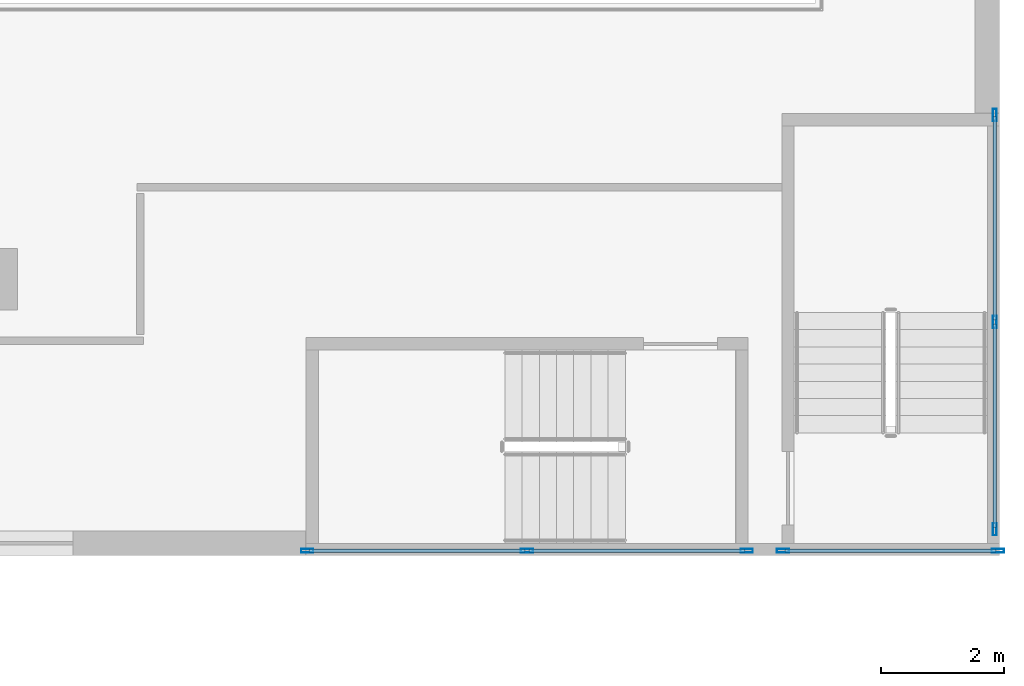
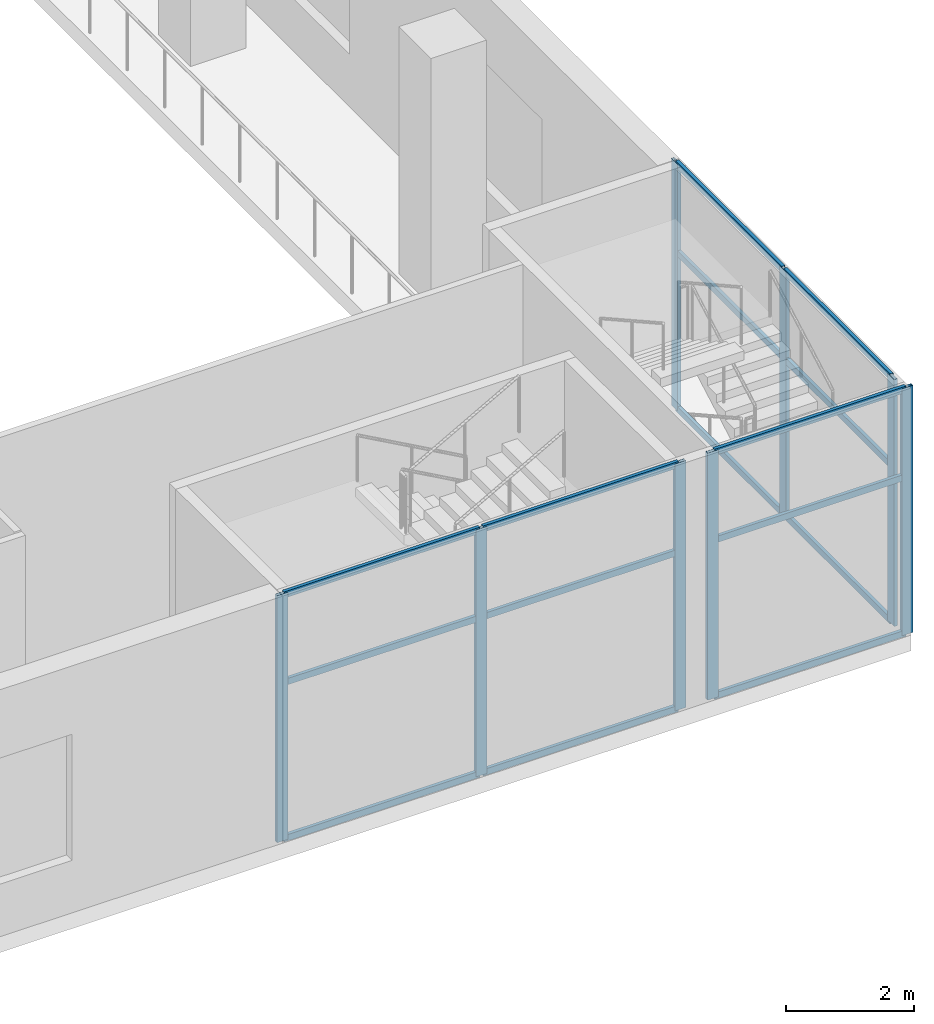
# One storey, part 6 of 23: 23 members, 3 elements without a shape of their own.
"""IFC4 building model written with IfcOpenShell, lengths in metres."""

from ifc_helpers import new_model, si_unit, direction, frame, origin, origin_2d, place, context, subcontext, project, spatial, hollow_rectangle, extrude, source, transform, mapped, material, material_profile, profile_set, type_object, element, aggregate, save


model = new_model("IFC4")

# Units and contexts
model_context = context("Model", 3, precision=1e-05, world=origin(), true_north=direction((0.0, 1.0)))
body_context = subcontext(model_context, "Body", "Model", "MODEL_VIEW")
ifc_project = project(units=[si_unit("LENGTHUNIT", "METRE"), si_unit("AREAUNIT", "SQUARE_METRE"), si_unit("VOLUMEUNIT", "CUBIC_METRE"), si_unit("PLANEANGLEUNIT", "RADIAN"), si_unit("MASSUNIT", "GRAM", prefix="KILO")], contexts=[model_context])

# Site, building, storey
site_placement = place(None, origin())
site = spatial("IfcSite", under=ifc_project, at=site_placement, CompositionType="ELEMENT")
building_placement = place(site_placement, origin())
building = spatial("IfcBuilding", under=site, at=building_placement, Name="Khomas Fold Tower", CompositionType="ELEMENT")
storey_placement = place(building_placement, frame((0.0, 0.0, 18.5)))
storey = spatial("IfcBuildingStorey", under=building, at=storey_placement, Name="L03", CompositionType="ELEMENT", Elevation=18.5)

# Curtain wall, members
ifc_material_1 = material(Name="Aluminium framed double glazing", Category="aluminium")
curtain_wall_type = type_object("IfcCurtainWallType", Name="Shopfront glazing PD-CW", PredefinedType="NOTDEFINED", material=ifc_material_1)
curtain_wall_1_placement = place(storey_placement, origin())
curtain_wall_1 = element("IfcCurtainWall", 1, at=curtain_wall_1_placement, inside=storey, type_object=curtain_wall_type, Name="Podium stair-tower glazing", PredefinedType="NOTDEFINED")
ifc_material_2 = material(Name="Aluminium", Category="aluminium")
ifc_material_profile_1 = material_profile(ifc_material_2, hollow_rectangle(XDim=0.06005859375, YDim=0.1201171875, WallThickness=0.00390625, at=origin_2d()), Name="Shopfront glazing transom PD-CW-T")
ifc_profile_set_1 = profile_set([ifc_material_profile_1], Name="Aluminium")
member_type_1 = type_object("IfcMemberType", Name="Shopfront glazing transom PD-CW-T", PredefinedType="USERDEFINED", material=ifc_profile_set_1)
shared_shape_1 = source(origin(), body_context, "Body", "SweptSolid", [
    extrude(hollow_rectangle(XDim=0.06005859375, YDim=0.1201171875, WallThickness=0.00390625, at=origin_2d()), origin(), (0.0, 0.0, 1.0), 3.52001953125),
])
member_1_placement = place(storey_placement, frame((69.75, 0.080078125, 0.030029296875), z_axis=(1.0, 0.0, 0.0), x_axis=(0.0, 1.0, 0.0)))
member_1 = element("IfcMember", 2, at=member_1_placement, type_object=member_type_1, Name="PD-CW transom 1.1", ObjectType="TRANSOM", PredefinedType="USERDEFINED", context=body_context, shape_type="MappedRepresentation", body=[
    mapped(shared_shape_1, transform((0.0, 0.0, 0.0))),
])
member_2_placement = place(storey_placement, frame((69.75, 0.080078125, 3.0), z_axis=(1.0, 0.0, 0.0), x_axis=(0.0, 1.0, 0.0)))
member_2 = element("IfcMember", 3, at=member_2_placement, type_object=member_type_1, Name="PD-CW transom 1.2", ObjectType="TRANSOM", PredefinedType="USERDEFINED", context=body_context, shape_type="MappedRepresentation", body=[
    mapped(shared_shape_1, transform((0.0, 0.0, 0.0))),
])
member_3_placement = place(storey_placement, frame((69.75, 0.080078125, 4.669921875), z_axis=(1.0, 0.0, 0.0), x_axis=(0.0, 1.0, 0.0)))
member_3 = element("IfcMember", 4, at=member_3_placement, type_object=member_type_1, Name="PD-CW transom 1.3", ObjectType="TRANSOM", PredefinedType="USERDEFINED", context=body_context, shape_type="MappedRepresentation", body=[
    mapped(shared_shape_1, transform((0.0, 0.0, 0.0))),
])
member_4_placement = place(storey_placement, frame((73.330078125, 0.080078125, 0.030029296875), z_axis=(1.0, 0.0, 0.0), x_axis=(0.0, 1.0, 0.0)))
member_4 = element("IfcMember", 5, at=member_4_placement, type_object=member_type_1, Name="PD-CW transom 2.1", ObjectType="TRANSOM", PredefinedType="USERDEFINED", context=body_context, shape_type="MappedRepresentation", body=[
    mapped(shared_shape_1, transform((0.0, 0.0, 0.0))),
])
member_5_placement = place(storey_placement, frame((73.330078125, 0.080078125, 3.0), z_axis=(1.0, 0.0, 0.0), x_axis=(0.0, 1.0, 0.0)))
member_5 = element("IfcMember", 6, at=member_5_placement, type_object=member_type_1, Name="PD-CW transom 2.2", ObjectType="TRANSOM", PredefinedType="USERDEFINED", context=body_context, shape_type="MappedRepresentation", body=[
    mapped(shared_shape_1, transform((0.0, 0.0, 0.0))),
])
member_6_placement = place(storey_placement, frame((73.330078125, 0.080078125, 4.669921875), z_axis=(1.0, 0.0, 0.0), x_axis=(0.0, 1.0, 0.0)))
member_6 = element("IfcMember", 7, at=member_6_placement, type_object=member_type_1, Name="PD-CW transom 2.3", ObjectType="TRANSOM", PredefinedType="USERDEFINED", context=body_context, shape_type="MappedRepresentation", body=[
    mapped(shared_shape_1, transform((0.0, 0.0, 0.0))),
])

curtain_wall_2_placement = place(storey_placement, origin())
curtain_wall_2 = element("IfcCurtainWall", 8, at=curtain_wall_2_placement, inside=storey, type_object=curtain_wall_type, Name="Podium stair-tower glazing", PredefinedType="NOTDEFINED")
shared_shape_2 = source(origin(), body_context, "Body", "SweptSolid", [
    extrude(hollow_rectangle(XDim=0.06005859375, YDim=0.1201171875, WallThickness=0.00390625, at=origin_2d()), origin(), (0.0, 0.0, 1.0), 3.43994140625),
])
member_7_placement = place(storey_placement, frame((77.5, 0.080078125, 0.030029296875), z_axis=(1.0, 0.0, 0.0), x_axis=(0.0, 1.0, 0.0)))
member_7 = element("IfcMember", 9, at=member_7_placement, type_object=member_type_1, Name="PD-CW transom 1.1", ObjectType="TRANSOM", PredefinedType="USERDEFINED", context=body_context, shape_type="MappedRepresentation", body=[
    mapped(shared_shape_2, transform((0.0, 0.0, 0.0))),
])
member_8_placement = place(storey_placement, frame((77.5, 0.080078125, 3.0), z_axis=(1.0, 0.0, 0.0), x_axis=(0.0, 1.0, 0.0)))
member_8 = element("IfcMember", 10, at=member_8_placement, type_object=member_type_1, Name="PD-CW transom 1.2", ObjectType="TRANSOM", PredefinedType="USERDEFINED", context=body_context, shape_type="MappedRepresentation", body=[
    mapped(shared_shape_2, transform((0.0, 0.0, 0.0))),
])
member_9_placement = place(storey_placement, frame((77.5, 0.080078125, 4.669921875), z_axis=(1.0, 0.0, 0.0), x_axis=(0.0, 1.0, 0.0)))
member_9 = element("IfcMember", 11, at=member_9_placement, type_object=member_type_1, Name="PD-CW transom 1.3", ObjectType="TRANSOM", PredefinedType="USERDEFINED", context=body_context, shape_type="MappedRepresentation", body=[
    mapped(shared_shape_2, transform((0.0, 0.0, 0.0))),
])

curtain_wall_3_placement = place(storey_placement, origin())
curtain_wall_3 = element("IfcCurtainWall", 12, at=curtain_wall_3_placement, inside=storey, type_object=curtain_wall_type, Name="Podium stair-tower glazing", PredefinedType="NOTDEFINED")
shared_shape_3 = source(origin(), body_context, "Body", "SweptSolid", [
    extrude(hollow_rectangle(XDim=0.06005859375, YDim=0.1201171875, WallThickness=0.00390625, at=origin_2d()), origin(), (0.0, 0.0, 1.0), 3.31494140625),
])
member_10_placement = place(storey_placement, frame((80.919921875, 0.4599609375, 0.030029296875), z_axis=(0.0, 1.0, 0.0), x_axis=(-1.0, 0.0, 0.0)))
member_10 = element("IfcMember", 13, at=member_10_placement, type_object=member_type_1, Name="PD-CW transom 1.1", ObjectType="TRANSOM", PredefinedType="USERDEFINED", context=body_context, shape_type="MappedRepresentation", body=[
    mapped(shared_shape_3, transform((0.0, 0.0, 0.0))),
])
member_11_placement = place(storey_placement, frame((80.919921875, 0.4599609375, 3.0), z_axis=(0.0, 1.0, 0.0), x_axis=(-1.0, 0.0, 0.0)))
member_11 = element("IfcMember", 14, at=member_11_placement, type_object=member_type_1, Name="PD-CW transom 1.2", ObjectType="TRANSOM", PredefinedType="USERDEFINED", context=body_context, shape_type="MappedRepresentation", body=[
    mapped(shared_shape_3, transform((0.0, 0.0, 0.0))),
])
member_12_placement = place(storey_placement, frame((80.919921875, 0.4599609375, 4.669921875), z_axis=(0.0, 1.0, 0.0), x_axis=(-1.0, 0.0, 0.0)))
member_12 = element("IfcMember", 15, at=member_12_placement, type_object=member_type_1, Name="PD-CW transom 1.3", ObjectType="TRANSOM", PredefinedType="USERDEFINED", context=body_context, shape_type="MappedRepresentation", body=[
    mapped(shared_shape_3, transform((0.0, 0.0, 0.0))),
])
member_13_placement = place(storey_placement, frame((80.919921875, 3.8349609375, 0.030029296875), z_axis=(0.0, 1.0, 0.0), x_axis=(-1.0, 0.0, 0.0)))
member_13 = element("IfcMember", 16, at=member_13_placement, type_object=member_type_1, Name="PD-CW transom 2.1", ObjectType="TRANSOM", PredefinedType="USERDEFINED", context=body_context, shape_type="MappedRepresentation", body=[
    mapped(shared_shape_3, transform((0.0, 0.0, 0.0))),
])
member_14_placement = place(storey_placement, frame((80.919921875, 3.8349609375, 3.0), z_axis=(0.0, 1.0, 0.0), x_axis=(-1.0, 0.0, 0.0)))
member_14 = element("IfcMember", 17, at=member_14_placement, type_object=member_type_1, Name="PD-CW transom 2.2", ObjectType="TRANSOM", PredefinedType="USERDEFINED", context=body_context, shape_type="MappedRepresentation", body=[
    mapped(shared_shape_3, transform((0.0, 0.0, 0.0))),
])
member_15_placement = place(storey_placement, frame((80.919921875, 3.8349609375, 4.669921875), z_axis=(0.0, 1.0, 0.0), x_axis=(-1.0, 0.0, 0.0)))
member_15 = element("IfcMember", 18, at=member_15_placement, type_object=member_type_1, Name="PD-CW transom 2.3", ObjectType="TRANSOM", PredefinedType="USERDEFINED", context=body_context, shape_type="MappedRepresentation", body=[
    mapped(shared_shape_3, transform((0.0, 0.0, 0.0))),
])

# Member
ifc_material_3 = material(Name="Aluminium", Category="aluminium")
ifc_material_profile_2 = material_profile(ifc_material_3, hollow_rectangle(XDim=0.06005859375, YDim=0.199951171875, WallThickness=0.00390625, at=origin_2d()), Name="Shopfront glazing mullion PD-CW-M")
ifc_profile_set_2 = profile_set([ifc_material_profile_2], Name="Aluminium")
member_type_2 = type_object("IfcMemberType", Name="Shopfront glazing mullion PD-CW-M", PredefinedType="MULLION", material=ifc_profile_set_2)
shared_shape_4 = source(origin(), body_context, "Body", "SweptSolid", [
    extrude(hollow_rectangle(XDim=0.06005859375, YDim=0.199951171875, WallThickness=0.00390625, at=origin_2d()), origin(), (0.0, 0.0, 1.0), 4.699951171875),
])
member_16_placement = place(storey_placement, frame((69.719970703125, 0.080078125, 0.0), z_axis=(0.0, 0.0, 1.0), x_axis=(0.0, 1.0, 0.0)))
member_16 = element("IfcMember", 19, at=member_16_placement, type_object=member_type_2, Name="PD-CW mullion 1", PredefinedType="MULLION", context=body_context, shape_type="MappedRepresentation", body=[
    mapped(shared_shape_4, transform((0.0, 0.0, 0.0))),
])

member_17_placement = place(storey_placement, frame((73.300048828125, 0.080078125, 0.0), z_axis=(0.0, 0.0, 1.0), x_axis=(0.0, 1.0, 0.0)))
member_17 = element("IfcMember", 20, at=member_17_placement, type_object=member_type_2, Name="PD-CW mullion 2", PredefinedType="MULLION", context=body_context, shape_type="MappedRepresentation", body=[
    mapped(shared_shape_4, transform((0.0, 0.0, 0.0))),
])

member_18_placement = place(storey_placement, frame((76.8798828125, 0.080078125, 0.0), z_axis=(0.0, 0.0, 1.0), x_axis=(0.0, 1.0, 0.0)))
member_18 = element("IfcMember", 21, at=member_18_placement, type_object=member_type_2, Name="PD-CW mullion 3", PredefinedType="MULLION", context=body_context, shape_type="MappedRepresentation", body=[
    mapped(shared_shape_4, transform((0.0, 0.0, 0.0))),
])

aggregate(curtain_wall_1, [member_16, member_17, member_18, member_1, member_2, member_3, member_4, member_5, member_6])

member_19_placement = place(storey_placement, frame((77.469970703125, 0.080078125, 0.0), z_axis=(0.0, 0.0, 1.0), x_axis=(0.0, 1.0, 0.0)))
member_19 = element("IfcMember", 22, at=member_19_placement, type_object=member_type_2, Name="PD-CW mullion 1", PredefinedType="MULLION", context=body_context, shape_type="MappedRepresentation", body=[
    mapped(shared_shape_4, transform((0.0, 0.0, 0.0))),
])

member_20_placement = place(storey_placement, frame((80.969970703125, 0.080078125, 0.0), z_axis=(0.0, 0.0, 1.0), x_axis=(0.0, 1.0, 0.0)))
member_20 = element("IfcMember", 23, at=member_20_placement, type_object=member_type_2, Name="PD-CW mullion 2", PredefinedType="MULLION", context=body_context, shape_type="MappedRepresentation", body=[
    mapped(shared_shape_4, transform((0.0, 0.0, 0.0))),
])

aggregate(curtain_wall_2, [member_19, member_20, member_7, member_8, member_9])

member_21_placement = place(storey_placement, frame((80.919921875, 0.429931640625, 0.0), z_axis=(0.0, 0.0, 1.0), x_axis=(-1.0, 0.0, 0.0)))
member_21 = element("IfcMember", 24, at=member_21_placement, type_object=member_type_2, Name="PD-CW mullion 1", PredefinedType="MULLION", context=body_context, shape_type="MappedRepresentation", body=[
    mapped(shared_shape_4, transform((0.0, 0.0, 0.0))),
])

member_22_placement = place(storey_placement, frame((80.919921875, 3.804931640625, 0.0), z_axis=(0.0, 0.0, 1.0), x_axis=(-1.0, 0.0, 0.0)))
member_22 = element("IfcMember", 25, at=member_22_placement, type_object=member_type_2, Name="PD-CW mullion 2", PredefinedType="MULLION", context=body_context, shape_type="MappedRepresentation", body=[
    mapped(shared_shape_4, transform((0.0, 0.0, 0.0))),
])

member_23_placement = place(storey_placement, frame((80.919921875, 7.179931640625, 0.0), z_axis=(0.0, 0.0, 1.0), x_axis=(-1.0, 0.0, 0.0)))
member_23 = element("IfcMember", 26, at=member_23_placement, type_object=member_type_2, Name="PD-CW mullion 3", PredefinedType="MULLION", context=body_context, shape_type="MappedRepresentation", body=[
    mapped(shared_shape_4, transform((0.0, 0.0, 0.0))),
])

aggregate(curtain_wall_3, [member_21, member_22, member_23, member_10, member_11, member_12, member_13, member_14, member_15])

save(model, "model.ifc")
